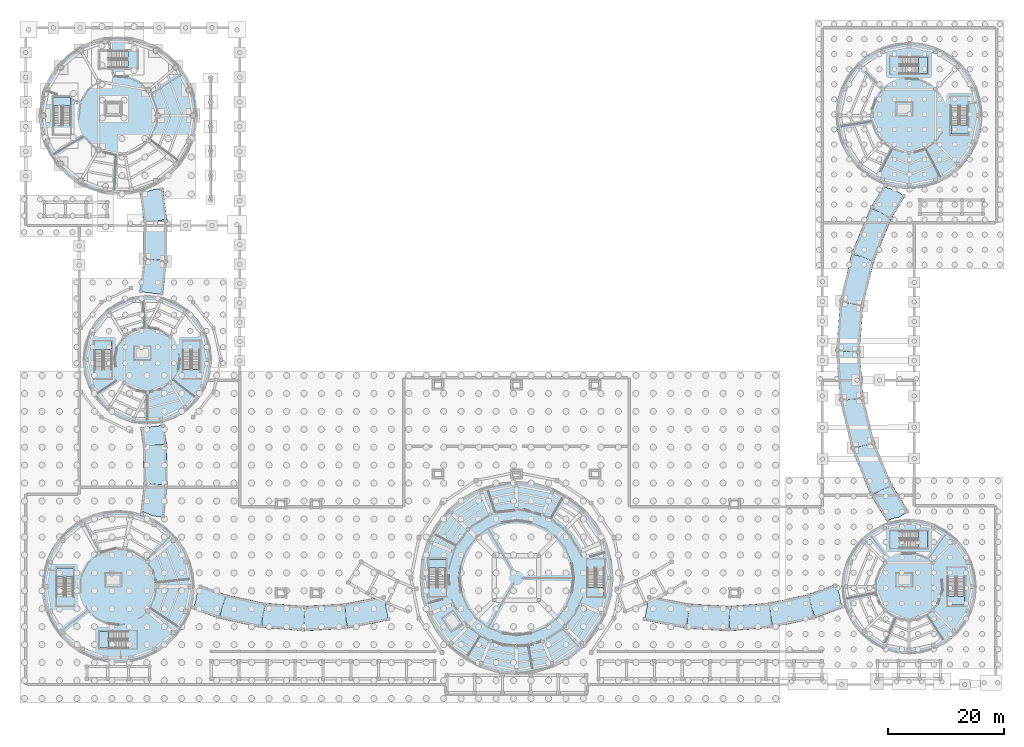
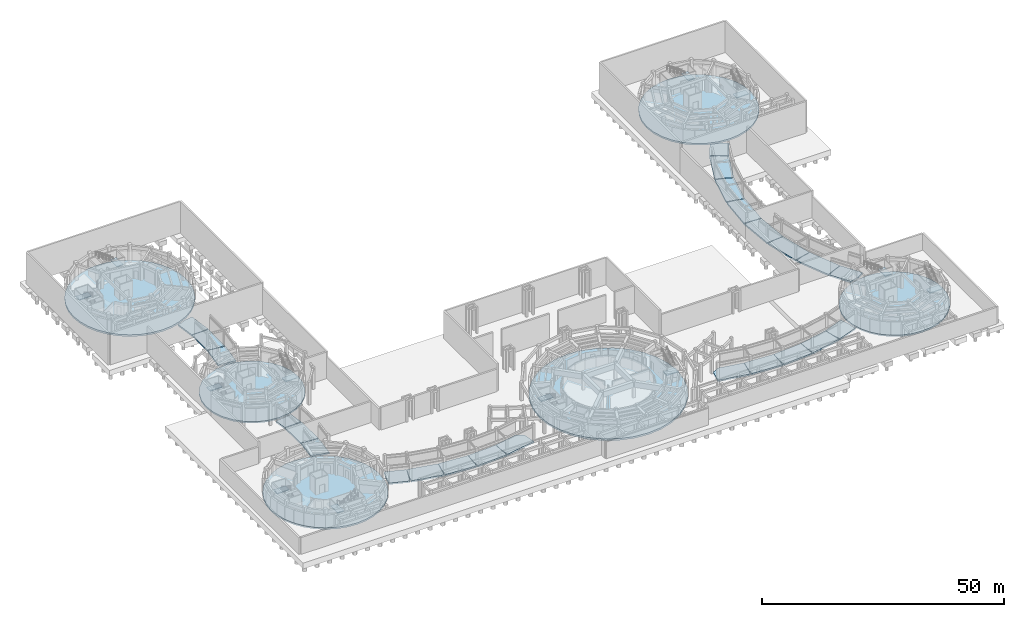
# One storey, part 22 of 57: 42 slabs, 12 elements without a shape of their own.
"""IFC4 building model written with IfcOpenShell, lengths in metres."""

from ifc_helpers import new_model, si_unit, direction, frame, origin, place, context, subcontext, project, spatial, polyline, outline, extrude, material, layer, layer_set, type_object, element, aggregate, save


model = new_model("IFC4")

# Units and contexts
model_context = context("Model", 3, precision=1e-05, world=origin(), true_north=direction((0.0, 1.0)))
body_context = subcontext(model_context, "Body", "Model", "MODEL_VIEW")
ifc_project = project(units=[si_unit("LENGTHUNIT", "METRE"), si_unit("AREAUNIT", "SQUARE_METRE"), si_unit("VOLUMEUNIT", "CUBIC_METRE"), si_unit("PLANEANGLEUNIT", "RADIAN"), si_unit("MASSUNIT", "GRAM", prefix="KILO")], contexts=[model_context])

# Site, building, storey
site_placement = place(None, origin())
site = spatial("IfcSite", under=ifc_project, at=site_placement, CompositionType="ELEMENT")
building_placement = place(site_placement, origin())
building = spatial("IfcBuilding", under=site, at=building_placement, Name="Aldenvaro Health Centre", CompositionType="ELEMENT")
storey_placement = place(building_placement, frame((0.0, 0.0, -4.550048828125)))
storey = spatial("IfcBuildingStorey", under=building, at=storey_placement, Name="B1", CompositionType="ELEMENT", Elevation=-4.550048828125)

# Slabs
ifc_material = material(Name="Concrete f'c 40 MPa", Category="concrete")
ifc_layer_1 = layer(ifc_material, 0.3798828125, Name="Concrete f'c 40 MPa", Category="concrete")
ifc_layer_set_1 = layer_set([ifc_layer_1], Name="Concrete f'c 40 MPa")
slab_type_1 = type_object("IfcSlabType", Name="SLB-BASE-380", PredefinedType="BASESLAB", material=ifc_layer_set_1)
slab_1_placement = place(storey_placement, frame((0.0, 0.0, -0.3798828125)))
element("IfcSlab", 1, at=slab_1_placement, inside=storey, type_object=slab_type_1, Name="D3 B1 floor slab", PredefinedType="BASESLAB", context=body_context, shape_type="SweptSolid", body=[
    extrude(outline(polyline([(34.5, 57.5), (34.22412109375, 59.947998046875), (33.410888671875, 62.27294921875), (32.10009765625, 64.35791015625), (30.35791015625, 66.10009765625), (28.27294921875, 67.410888671875), (25.947998046875, 68.22412109375), (23.5, 68.5), (21.052001953125, 68.22412109375), (18.72705078125, 67.410888671875), (16.64208984375, 66.10009765625), (14.89990234375, 64.35791015625), (13.589111328125, 62.27294921875), (12.77587890625, 59.947998046875), (12.5, 57.5), (12.77587890625, 55.052001953125), (13.589111328125, 52.72705078125), (14.89990234375, 50.64208984375), (16.64208984375, 48.89990234375), (18.72705078125, 47.589111328125), (21.052001953125, 46.77587890625), (23.5, 46.5), (25.947998046875, 46.77587890625), (28.27294921875, 47.589111328125), (30.35791015625, 48.89990234375), (32.10009765625, 50.64208984375), (33.410888671875, 52.72705078125), (34.22412109375, 55.052001953125), (34.5, 57.5)])), origin(), (0.0, 0.0, 1.0), 0.3798828125),
])
slab_2_placement = place(storey_placement, frame((0.0, 0.0, -0.3798828125)))
element("IfcSlab", 2, at=slab_2_placement, inside=storey, type_object=slab_type_1, Name="D6 B1 floor slab", PredefinedType="BASESLAB", context=body_context, shape_type="SweptSolid", body=[
    extrude(outline(polyline([(166.0, 18.5), (165.779052734375, 20.743896484375), (165.125, 22.90087890625), (164.06201171875, 24.888916015625), (162.632080078125, 26.632080078125), (160.888916015625, 28.06201171875), (158.90087890625, 29.125), (156.743896484375, 29.779052734375), (154.5, 30.0), (152.256103515625, 29.779052734375), (150.09912109375, 29.125), (148.111083984375, 28.06201171875), (146.367919921875, 26.632080078125), (144.93798828125, 24.888916015625), (143.875, 22.90087890625), (143.220947265625, 20.743896484375), (143.0, 18.5), (143.220947265625, 16.256103515625), (143.875, 14.09912109375), (144.93798828125, 12.111083984375), (146.367919921875, 10.367919921875), (148.111083984375, 8.93798828125), (150.09912109375, 7.875), (152.256103515625, 7.220947265625), (154.5, 7.0), (156.743896484375, 7.220947265625), (158.90087890625, 7.875), (160.888916015625, 8.93798828125), (162.632080078125, 10.367919921875), (164.06201171875, 12.111083984375), (165.125, 14.09912109375), (165.779052734375, 16.256103515625), (166.0, 18.5)])), origin(), (0.0, 0.0, 1.0), 0.3798828125),
])
slab_3_placement = place(storey_placement, frame((0.0, 0.0, -0.3798828125)))
element("IfcSlab", 3, at=slab_3_placement, inside=storey, type_object=slab_type_1, Name="West South Curved Garden Walkway Arc 1 B1 deck slab", PredefinedType="BASESLAB", context=body_context, shape_type="SweptSolid", body=[
    extrude(outline(polyline([(22.955078125, 36.278076171875), (26.930908203125, 35.8359375), (26.3330078125, 30.447998046875), (24.344970703125, 30.6689453125), (23.134033203125, 31.23291015625), (22.416015625, 31.425048828125), (22.955078125, 36.278076171875)])), origin(), (0.0, 0.0, 1.0), 0.3798828125),
])
slab_4_placement = place(storey_placement, frame((0.0, 0.0, -0.3798828125)))
element("IfcSlab", 4, at=slab_4_placement, inside=storey, type_object=slab_type_1, Name="West South Curved Garden Walkway Arc 2 B1 deck slab", PredefinedType="BASESLAB", context=body_context, shape_type="SweptSolid", body=[
    extrude(outline(polyline([(22.825927734375, 42.736083984375), (26.825927734375, 42.805908203125), (26.943115234375, 36.092041015625), (25.256103515625, 36.06201171875), (22.93798828125, 36.320068359375), (22.825927734375, 42.736083984375)])), origin(), (0.0, 0.0, 1.0), 0.3798828125),
])
slab_5_placement = place(storey_placement, frame((0.0, 0.0, -0.3798828125)))
element("IfcSlab", 5, at=slab_5_placement, inside=storey, type_object=slab_type_1, Name="West South Curved Garden Walkway Arc 3 B1 deck slab", PredefinedType="BASESLAB", context=body_context, shape_type="SweptSolid", body=[
    extrude(outline(polyline([(26.804931640625, 43.06103515625), (25.135986328125, 42.81591796875), (22.803955078125, 42.77587890625), (22.367919921875, 45.756103515625), (26.070068359375, 46.239990234375), (26.325927734375, 46.330078125), (26.804931640625, 43.06103515625)])), origin(), (0.0, 0.0, 1.0), 0.3798828125),
])
slab_6_placement = place(storey_placement, frame((0.0, 0.0, -0.3798828125)))
element("IfcSlab", 6, at=slab_6_placement, inside=storey, type_object=slab_type_1, Name="West North Curved Garden Walkway Arc 1 B1 deck slab", PredefinedType="BASESLAB", context=body_context, shape_type="SweptSolid", body=[
    extrude(outline(polyline([(22.178955078125, 69.23095703125), (22.908935546875, 74.89892578125), (26.876953125, 74.386962890625), (26.14794921875, 68.73291015625), (22.178955078125, 69.23095703125)])), origin(), (0.0, 0.0, 1.0), 0.3798828125),
])
slab_7_placement = place(storey_placement, frame((0.0, 0.0, -0.3798828125)))
element("IfcSlab", 7, at=slab_7_placement, inside=storey, type_object=slab_type_1, Name="West North Curved Garden Walkway Arc 2 B1 deck slab", PredefinedType="BASESLAB", context=body_context, shape_type="SweptSolid", body=[
    extrude(outline(polyline([(22.89306640625, 81.35693359375), (26.89306640625, 81.35693359375), (26.89306640625, 74.64306640625), (25.2060546875, 74.64306640625), (22.89306640625, 74.94091796875), (22.89306640625, 81.35693359375)])), origin(), (0.0, 0.0, 1.0), 0.3798828125),
])
slab_8_placement = place(storey_placement, frame((0.0, 0.0, -0.3798828125)))
element("IfcSlab", 8, at=slab_8_placement, inside=storey, type_object=slab_type_1, Name="West North Curved Garden Walkway Arc 3 B1 deck slab", PredefinedType="BASESLAB", context=body_context, shape_type="SweptSolid", body=[
    extrude(outline(polyline([(26.18603515625, 86.970947265625), (26.876953125, 81.613037109375), (25.202880859375, 81.39697265625), (22.87109375, 81.39697265625), (22.27587890625, 86.02099609375), (23.304931640625, 86.297119140625), (24.202880859375, 86.716064453125), (26.18603515625, 86.970947265625)])), origin(), (0.0, 0.0, 1.0), 0.3798828125),
])
slab_9_placement = place(storey_placement, frame((0.0, 0.0, -0.3798828125)))
element("IfcSlab", 9, at=slab_9_placement, inside=storey, type_object=slab_type_1, Name="South West Curved Peristyle Walkway Arc 1 B1 deck slab", PredefinedType="BASESLAB", context=body_context, shape_type="SweptSolid", body=[
    extrude(outline(polyline([(32.614990234375, 18.68896484375), (37.074951171875, 17.056884765625), (35.631103515625, 13.113037109375), (31.44189453125, 14.64599609375), (31.843994140625, 16.14697265625), (31.89404296875, 16.717041015625), (32.614990234375, 18.68896484375)])), origin(), (0.0, 0.0, 1.0), 0.3798828125),
])
slab_10_placement = place(storey_placement, frame((0.0, 0.0, -0.3798828125)))
element("IfcSlab", 10, at=slab_10_placement, inside=storey, type_object=slab_type_1, Name="South West Curved Peristyle Walkway Arc 2 B1 deck slab", PredefinedType="BASESLAB", context=body_context, shape_type="SweptSolid", body=[
    extrude(outline(polyline([(43.779052734375, 15.614990234375), (42.883056640625, 11.510986328125), (35.905029296875, 13.032958984375), (36.2900390625, 14.797119140625), (37.12109375, 17.06689453125), (43.779052734375, 15.614990234375)])), origin(), (0.0, 0.0, 1.0), 0.3798828125),
])
slab_11_placement = place(storey_placement, frame((0.0, 0.0, -0.3798828125)))
element("IfcSlab", 11, at=slab_11_placement, inside=storey, type_object=slab_type_1, Name="South West Curved Peristyle Walkway Arc 3 B1 deck slab", PredefinedType="BASESLAB", context=body_context, shape_type="SweptSolid", body=[
    extrude(outline(polyline([(50.614990234375, 15.096923828125), (50.284912109375, 10.908935546875), (43.166015625, 11.468994140625), (43.30810546875, 13.27001953125), (43.822998046875, 15.631103515625), (50.614990234375, 15.096923828125)])), origin(), (0.0, 0.0, 1.0), 0.3798828125),
])
slab_12_placement = place(storey_placement, frame((0.0, 0.0, -0.3798828125)))
element("IfcSlab", 12, at=slab_12_placement, inside=storey, type_object=slab_type_1, Name="South West Curved Peristyle Walkway Arc 4 B1 deck slab", PredefinedType="BASESLAB", context=body_context, shape_type="SweptSolid", body=[
    extrude(outline(polyline([(57.458984375, 15.510986328125), (57.700927734375, 11.31689453125), (50.571044921875, 10.906005859375), (50.467041015625, 12.708984375), (50.656982421875, 15.117919921875), (57.458984375, 15.510986328125)])), origin(), (0.0, 0.0, 1.0), 0.3798828125),
])
slab_13_placement = place(storey_placement, frame((0.0, 0.0, -0.3798828125)))
element("IfcSlab", 13, at=slab_13_placement, inside=storey, type_object=slab_type_1, Name="South West Curved Peristyle Walkway Arc 5 B1 deck slab", PredefinedType="BASESLAB", context=body_context, shape_type="SweptSolid", body=[
    extrude(outline(polyline([(64.991943359375, 12.72802734375), (57.98388671875, 11.35302734375), (57.636962890625, 13.125), (57.498046875, 15.5380859375), (62.739013671875, 16.56591796875), (64.39794921875, 15.757080078125), (64.991943359375, 12.72802734375)])), origin(), (0.0, 0.0, 1.0), 0.3798828125),
])
slab_14_placement = place(storey_placement, frame((0.0, 0.0, -0.3798828125)))
element("IfcSlab", 14, at=slab_14_placement, inside=storey, type_object=slab_type_1, Name="South East Curved Peristyle Walkway Arc 1 B1 deck slab", PredefinedType="BASESLAB", context=body_context, shape_type="SweptSolid", body=[
    extrude(outline(polyline([(116.823974609375, 15.47509765625), (116.01611328125, 11.35302734375), (109.008056640625, 12.72802734375), (109.60205078125, 15.756103515625), (111.260986328125, 16.56591796875), (116.823974609375, 15.47509765625)])), origin(), (0.0, 0.0, 1.0), 0.3798828125),
])
slab_15_placement = place(storey_placement, frame((0.0, 0.0, -0.3798828125)))
element("IfcSlab", 15, at=slab_15_placement, inside=storey, type_object=slab_type_1, Name="South East Curved Peristyle Walkway Arc 2 B1 deck slab", PredefinedType="BASESLAB", context=body_context, shape_type="SweptSolid", body=[
    extrude(outline(polyline([(123.6708984375, 15.10009765625), (123.428955078125, 10.906005859375), (116.299072265625, 11.31689453125), (116.403076171875, 13.118896484375), (116.867919921875, 15.491943359375), (123.6708984375, 15.10009765625)])), origin(), (0.0, 0.0, 1.0), 0.3798828125),
])
slab_16_placement = place(storey_placement, frame((0.0, 0.0, -0.3798828125)))
element("IfcSlab", 16, at=slab_16_placement, inside=storey, type_object=slab_type_1, Name="South East Curved Peristyle Walkway Arc 3 B1 deck slab", PredefinedType="BASESLAB", context=body_context, shape_type="SweptSolid", body=[
    extrude(outline(polyline([(130.50390625, 15.656982421875), (130.833984375, 11.468994140625), (123.715087890625, 10.908935546875), (123.572998046875, 12.708984375), (123.7119140625, 15.1220703125), (130.50390625, 15.656982421875)])), origin(), (0.0, 0.0, 1.0), 0.3798828125),
])
slab_17_placement = place(storey_placement, frame((0.0, 0.0, -0.3798828125)))
element("IfcSlab", 17, at=slab_17_placement, inside=storey, type_object=slab_type_1, Name="South East Curved Peristyle Walkway Arc 4 B1 deck slab", PredefinedType="BASESLAB", context=body_context, shape_type="SweptSolid", body=[
    extrude(outline(polyline([(137.198974609375, 17.136962890625), (138.094970703125, 13.032958984375), (131.116943359375, 11.510986328125), (130.73193359375, 13.27490234375), (130.5419921875, 15.68505859375), (137.198974609375, 17.136962890625)])), origin(), (0.0, 0.0, 1.0), 0.3798828125),
])
slab_18_placement = place(storey_placement, frame((0.0, 0.0, -0.3798828125)))
element("IfcSlab", 18, at=slab_18_placement, inside=storey, type_object=slab_type_1, Name="South East Curved Peristyle Walkway Arc 5 B1 deck slab", PredefinedType="BASESLAB", context=body_context, shape_type="SweptSolid", body=[
    extrude(outline(polyline([(138.368896484375, 13.113037109375), (137.7490234375, 14.80810546875), (137.23291015625, 17.169921875), (141.885986328125, 18.8720703125), (142.60791015625, 16.89990234375), (142.681884765625, 16.14892578125), (143.080078125, 14.8369140625), (138.368896484375, 13.113037109375)])), origin(), (0.0, 0.0, 1.0), 0.3798828125),
])
slab_19_placement = place(storey_placement, frame((0.0, 0.0, -0.3798828125)))
element("IfcSlab", 19, at=slab_19_placement, inside=storey, type_object=slab_type_1, Name="East Curved Garden Colonnade Arc 1 B1 deck slab", PredefinedType="BASESLAB", context=body_context, shape_type="SweptSolid", body=[
    extrude(outline(polyline([(153.7890625, 85.64306640625), (151.427001953125, 81.7900390625), (148.01708984375, 83.8798828125), (150.092041015625, 87.264892578125), (152.083984375, 86.68798828125), (153.7890625, 85.64306640625)])), origin(), (0.0, 0.0, 1.0), 0.3798828125),
])
slab_20_placement = place(storey_placement, frame((0.0, 0.0, -0.3798828125)))
element("IfcSlab", 20, at=slab_20_placement, inside=storey, type_object=slab_type_1, Name="East Curved Garden Colonnade Arc 2 B1 deck slab", PredefinedType="BASESLAB", context=body_context, shape_type="SweptSolid", body=[
    extrude(outline(polyline([(148.41796875, 74.4580078125), (144.721923828125, 75.988037109375), (147.8740234375, 83.60009765625), (149.486083984375, 82.93310546875), (151.43310546875, 81.739013671875), (148.41796875, 74.4580078125)])), origin(), (0.0, 0.0, 1.0), 0.3798828125),
])
slab_21_placement = place(storey_placement, frame((0.0, 0.0, -0.3798828125)))
element("IfcSlab", 21, at=slab_21_placement, inside=storey, type_object=slab_type_1, Name="East Curved Garden Colonnade Arc 3 B1 deck slab", PredefinedType="BASESLAB", context=body_context, shape_type="SweptSolid", body=[
    extrude(outline(polyline([(146.591064453125, 66.74609375), (142.700927734375, 67.679931640625), (144.625, 75.68994140625), (146.321044921875, 75.282958984375), (148.430908203125, 74.408935546875), (146.591064453125, 66.74609375)])), origin(), (0.0, 0.0, 1.0), 0.3798828125),
])
slab_22_placement = place(storey_placement, frame((0.0, 0.0, -0.3798828125)))
element("IfcSlab", 22, at=slab_22_placement, inside=storey, type_object=slab_type_1, Name="East Curved Garden Colonnade Arc 4 B1 deck slab", PredefinedType="BASESLAB", context=body_context, shape_type="SweptSolid", body=[
    extrude(outline(polyline([(145.993896484375, 58.843017578125), (142.006103515625, 59.156982421875), (142.652099609375, 67.3701171875), (144.39111328125, 67.23291015625), (146.612060546875, 66.699951171875), (145.993896484375, 58.843017578125)])), origin(), (0.0, 0.0, 1.0), 0.3798828125),
])
slab_23_placement = place(storey_placement, frame((0.0, 0.0, -0.3798828125)))
element("IfcSlab", 23, at=slab_23_placement, inside=storey, type_object=slab_type_1, Name="East Curved Garden Colonnade Arc 5 B1 deck slab", PredefinedType="BASESLAB", context=body_context, shape_type="SweptSolid", body=[
    extrude(outline(polyline([(146.639892578125, 50.944091796875), (142.652099609375, 50.6298828125), (142.006103515625, 58.843017578125), (143.7451171875, 58.97998046875), (146.02197265625, 58.801025390625), (146.639892578125, 50.944091796875)])), origin(), (0.0, 0.0, 1.0), 0.3798828125),
])
slab_24_placement = place(storey_placement, frame((0.0, 0.0, -0.3798828125)))
element("IfcSlab", 24, at=slab_24_placement, inside=storey, type_object=slab_type_1, Name="East Curved Garden Colonnade Arc 6 B1 deck slab", PredefinedType="BASESLAB", context=body_context, shape_type="SweptSolid", body=[
    extrude(outline(polyline([(148.514892578125, 43.243896484375), (144.625, 42.31005859375), (142.700927734375, 50.320068359375), (144.39697265625, 50.72705078125), (146.674072265625, 50.906982421875), (148.514892578125, 43.243896484375)])), origin(), (0.0, 0.0, 1.0), 0.3798828125),
])
slab_25_placement = place(storey_placement, frame((0.0, 0.0, -0.3798828125)))
element("IfcSlab", 25, at=slab_25_placement, inside=storey, type_object=slab_type_1, Name="East Curved Garden Colonnade Arc 7 B1 deck slab", PredefinedType="BASESLAB", context=body_context, shape_type="SweptSolid", body=[
    extrude(outline(polyline([(151.570068359375, 35.929931640625), (147.8740234375, 34.39990234375), (144.721923828125, 42.011962890625), (146.333984375, 42.678955078125), (148.553955078125, 43.2119140625), (151.570068359375, 35.929931640625)])), origin(), (0.0, 0.0, 1.0), 0.3798828125),
])
slab_26_placement = place(storey_placement, frame((0.0, 0.0, -0.3798828125)))
element("IfcSlab", 26, at=slab_26_placement, inside=storey, type_object=slab_type_1, Name="East Curved Garden Colonnade Arc 8 B1 deck slab", PredefinedType="BASESLAB", context=body_context, shape_type="SweptSolid", body=[
    extrude(outline(polyline([(148.01708984375, 34.1201171875), (149.50390625, 35.031982421875), (151.614013671875, 35.905029296875), (154.366943359375, 31.4140625), (152.662109375, 30.368896484375), (152.14892578125, 30.318115234375), (150.62890625, 29.85693359375), (148.01708984375, 34.1201171875)])), origin(), (0.0, 0.0, 1.0), 0.3798828125),
])
ifc_layer_2 = layer(ifc_material, 0.419921875, Name="Concrete f'c 40 MPa", Category="concrete")
ifc_layer_set_2 = layer_set([ifc_layer_2], Name="Concrete f'c 40 MPa")
slab_type_2 = type_object("IfcSlabType", Name="SLB-BASE-420", PredefinedType="BASESLAB", material=ifc_layer_set_2)
slab_27_placement = place(storey_placement, frame((0.0, 0.0, -0.419921875)))
element("IfcSlab", 27, at=slab_27_placement, inside=storey, type_object=slab_type_2, Name="D2 B1 floor slab", PredefinedType="BASESLAB", context=body_context, shape_type="SweptSolid", body=[
    extrude(outline(polyline([(167.0, 99.5), (166.760009765625, 101.93896484375), (166.048095703125, 104.283935546875), (164.89306640625, 106.445068359375), (163.339111328125, 108.339111328125), (161.445068359375, 109.89306640625), (159.283935546875, 111.048095703125), (156.93896484375, 111.760009765625), (154.5, 112.0), (152.06103515625, 111.760009765625), (149.716064453125, 111.048095703125), (147.554931640625, 109.89306640625), (145.660888671875, 108.339111328125), (144.10693359375, 106.445068359375), (142.951904296875, 104.283935546875), (142.239990234375, 101.93896484375), (142.0, 99.5), (142.239990234375, 97.06103515625), (142.951904296875, 94.716064453125), (144.10693359375, 92.554931640625), (145.660888671875, 90.660888671875), (147.554931640625, 89.10693359375), (149.716064453125, 87.951904296875), (152.06103515625, 87.239990234375), (154.5, 87.0), (156.93896484375, 87.239990234375), (159.283935546875, 87.951904296875), (161.445068359375, 89.10693359375), (163.339111328125, 90.660888671875), (164.89306640625, 92.554931640625), (166.048095703125, 94.716064453125), (166.760009765625, 97.06103515625), (167.0, 99.5)])), origin(), (0.0, 0.0, 1.0), 0.419921875),
])
slab_28_placement = place(storey_placement, frame((0.0, 0.0, -0.419921875)))
element("IfcSlab", 28, at=slab_28_placement, inside=storey, type_object=slab_type_2, Name="D5 B1 floor slab", PredefinedType="BASESLAB", context=body_context, shape_type="SweptSolid", body=[
    extrude(outline(polyline([(31.5, 18.5), (31.302978515625, 20.757080078125), (30.716064453125, 22.946044921875), (29.758056640625, 25.0), (28.458984375, 26.85595703125), (26.85595703125, 28.458984375), (25.0, 29.758056640625), (22.946044921875, 30.716064453125), (20.757080078125, 31.302978515625), (18.5, 31.5), (16.242919921875, 31.302978515625), (14.053955078125, 30.716064453125), (12.0, 29.758056640625), (10.14404296875, 28.458984375), (8.541015625, 26.85595703125), (7.241943359375, 25.0), (6.283935546875, 22.946044921875), (5.697021484375, 20.757080078125), (5.5, 18.5), (5.697021484375, 16.242919921875), (6.283935546875, 14.053955078125), (7.241943359375, 12.0), (8.541015625, 10.14404296875), (10.14404296875, 8.541015625), (12.0, 7.241943359375), (14.053955078125, 6.283935546875), (16.242919921875, 5.697021484375), (18.5, 5.5), (20.757080078125, 5.697021484375), (22.946044921875, 6.283935546875), (25.0, 7.241943359375), (26.85595703125, 8.541015625), (28.458984375, 10.14404296875), (29.758056640625, 12.0), (30.716064453125, 14.053955078125), (31.302978515625, 16.242919921875), (31.5, 18.5)])), origin(), (0.0, 0.0, 1.0), 0.419921875),
])
ifc_layer_3 = layer(ifc_material, 0.449951171875, Name="Concrete f'c 40 MPa", Category="concrete")
ifc_layer_set_3 = layer_set([ifc_layer_3], Name="Concrete f'c 40 MPa")
slab_type_3 = type_object("IfcSlabType", Name="SLB-BASE-450", PredefinedType="BASESLAB", material=ifc_layer_set_3)
slab_29_placement = place(storey_placement, frame((0.0, 0.0, -0.449951171875)))
element("IfcSlab", 29, at=slab_29_placement, inside=storey, type_object=slab_type_3, Name="D1 B1 floor slab", PredefinedType="BASESLAB", context=body_context, shape_type="SweptSolid", body=[
    extrude(outline(polyline([(103.5, 20.0), (103.18310546875, 23.218994140625), (102.243896484375, 26.31396484375), (100.718994140625, 29.1669921875), (98.6669921875, 31.6669921875), (96.1669921875, 33.718994140625), (93.31396484375, 35.243896484375), (90.218994140625, 36.18310546875), (87.0, 36.5), (83.781005859375, 36.18310546875), (80.68603515625, 35.243896484375), (77.8330078125, 33.718994140625), (75.3330078125, 31.6669921875), (73.281005859375, 29.1669921875), (71.756103515625, 26.31396484375), (70.81689453125, 23.218994140625), (70.5, 20.0), (70.81689453125, 16.781005859375), (71.756103515625, 13.68603515625), (73.281005859375, 10.8330078125), (75.3330078125, 8.3330078125), (77.8330078125, 6.281005859375), (80.68603515625, 4.756103515625), (83.781005859375, 3.81689453125), (87.0, 3.5), (90.218994140625, 3.81689453125), (93.31396484375, 4.756103515625), (96.1669921875, 6.281005859375), (98.6669921875, 8.3330078125), (100.718994140625, 10.8330078125), (102.243896484375, 13.68603515625), (103.18310546875, 16.781005859375), (103.5, 20.0)])), origin(), (0.0, 0.0, 1.0), 0.449951171875),
])
slab_30_placement = place(storey_placement, frame((0.0, 0.0, -0.449951171875)))
element("IfcSlab", 30, at=slab_30_placement, inside=storey, type_object=slab_type_3, Name="D4 B1 floor slab", PredefinedType="BASESLAB", context=body_context, shape_type="SweptSolid", body=[
    extrude(outline(polyline([(32.0, 99.5), (31.794921875, 101.843994140625), (31.18603515625, 104.116943359375), (30.19091796875, 106.25), (28.842041015625, 108.177978515625), (27.177978515625, 109.842041015625), (25.25, 111.19091796875), (23.116943359375, 112.18603515625), (20.843994140625, 112.794921875), (18.5, 113.0), (16.156005859375, 112.794921875), (13.883056640625, 112.18603515625), (11.75, 111.19091796875), (9.822021484375, 109.842041015625), (8.157958984375, 108.177978515625), (6.80908203125, 106.25), (5.81396484375, 104.116943359375), (5.205078125, 101.843994140625), (5.0, 99.5), (5.205078125, 97.156005859375), (5.81396484375, 94.883056640625), (6.80908203125, 92.75), (8.157958984375, 90.822021484375), (9.822021484375, 89.157958984375), (11.75, 87.80908203125), (13.883056640625, 86.81396484375), (16.156005859375, 86.205078125), (18.5, 86.0), (20.843994140625, 86.205078125), (23.116943359375, 86.81396484375), (25.25, 87.80908203125), (27.177978515625, 89.157958984375), (28.842041015625, 90.822021484375), (30.19091796875, 92.75), (31.18603515625, 94.883056640625), (31.794921875, 97.156005859375), (32.0, 99.5)])), origin(), (0.0, 0.0, 1.0), 0.449951171875),
])

# Stair, slab
stair_type = type_object("IfcStairType", Name="STR-DOG-455", PredefinedType="HALF_TURN_STAIR", material=ifc_material)
stair_1_placement = place(storey_placement, origin())
stair_1 = element("IfcStair", 31, at=stair_1_placement, inside=storey, type_object=stair_type, Name="B1 Exit Stair ST-01", PredefinedType="HALF_TURN_STAIR")
ifc_layer_4 = layer(ifc_material, 0.199951171875, Name="Concrete f'c 40 MPa", Category="concrete")
ifc_layer_set_4 = layer_set([ifc_layer_4], Name="Concrete f'c 40 MPa")
slab_type_4 = type_object("IfcSlabType", Name="SLB-LND-200", PredefinedType="LANDING", material=ifc_layer_set_4)
slab_31_placement = place(storey_placement, frame((0.0, 0.0, 2.074951171875)))
slab_31 = element("IfcSlab", 32, at=slab_31_placement, type_object=slab_type_4, Name="ST-01 landing 1", PredefinedType="LANDING", context=body_context, shape_type="SweptSolid", body=[
    extrude(outline(polyline([(74.85009765625, 21.659912109375), (74.85009765625, 23.199951171875), (71.949951171875, 23.199951171875), (71.949951171875, 21.659912109375), (74.85009765625, 21.659912109375)])), origin(), (0.0, 0.0, 1.0), 0.2001953125),
])
aggregate(stair_1, [slab_31])

stair_2_placement = place(storey_placement, origin())
stair_2 = element("IfcStair", 33, at=stair_2_placement, inside=storey, type_object=stair_type, Name="B1 Exit Stair ST-02", PredefinedType="HALF_TURN_STAIR")
slab_32_placement = place(storey_placement, frame((0.0, 0.0, 2.074951171875)))
slab_32 = element("IfcSlab", 34, at=slab_32_placement, type_object=slab_type_4, Name="ST-02 landing 1", PredefinedType="LANDING", context=body_context, shape_type="SweptSolid", body=[
    extrude(outline(polyline([(99.14990234375, 18.340087890625), (99.14990234375, 16.800048828125), (102.050048828125, 16.800048828125), (102.050048828125, 18.340087890625), (99.14990234375, 18.340087890625)])), origin(), (0.0, 0.0, 1.0), 0.2001953125),
])
aggregate(stair_2, [slab_32])

stair_3_placement = place(storey_placement, origin())
stair_3 = element("IfcStair", 35, at=stair_3_placement, inside=storey, type_object=stair_type, Name="B1 Exit Stair ST-03", PredefinedType="HALF_TURN_STAIR")
slab_33_placement = place(storey_placement, frame((0.0, 0.0, 2.074951171875)))
slab_33 = element("IfcSlab", 36, at=slab_33_placement, type_object=slab_type_4, Name="ST-03 landing 1", PredefinedType="LANDING", context=body_context, shape_type="SweptSolid", body=[
    extrude(outline(polyline([(161.699951171875, 97.840087890625), (161.699951171875, 96.300048828125), (164.60009765625, 96.300048828125), (164.60009765625, 97.840087890625), (161.699951171875, 97.840087890625)])), origin(), (0.0, 0.0, 1.0), 0.2001953125),
])
aggregate(stair_3, [slab_33])

stair_4_placement = place(storey_placement, origin())
stair_4 = element("IfcStair", 37, at=stair_4_placement, inside=storey, type_object=stair_type, Name="B1 Exit Stair ST-04", PredefinedType="HALF_TURN_STAIR")
slab_34_placement = place(storey_placement, frame((0.0, 0.0, 2.074951171875)))
slab_34 = element("IfcSlab", 38, at=slab_34_placement, type_object=slab_type_4, Name="ST-04 landing 1", PredefinedType="LANDING", context=body_context, shape_type="SweptSolid", body=[
    extrude(outline(polyline([(156.159912109375, 106.699951171875), (157.699951171875, 106.699951171875), (157.699951171875, 109.60009765625), (156.159912109375, 109.60009765625), (156.159912109375, 106.699951171875)])), origin(), (0.0, 0.0, 1.0), 0.2001953125),
])
aggregate(stair_4, [slab_34])

stair_5_placement = place(storey_placement, origin())
stair_5 = element("IfcStair", 39, at=stair_5_placement, inside=storey, type_object=stair_type, Name="B1 Exit Stair ST-05", PredefinedType="HALF_TURN_STAIR")
slab_35_placement = place(storey_placement, frame((0.0, 0.0, 2.074951171875)))
slab_35 = element("IfcSlab", 40, at=slab_35_placement, type_object=slab_type_4, Name="ST-05 landing 1", PredefinedType="LANDING", context=body_context, shape_type="SweptSolid", body=[
    extrude(outline(polyline([(29.64990234375, 55.840087890625), (29.64990234375, 54.300048828125), (32.550048828125, 54.300048828125), (32.550048828125, 55.840087890625), (29.64990234375, 55.840087890625)])), origin(), (0.0, 0.0, 1.0), 0.2001953125),
])
aggregate(stair_5, [slab_35])

stair_6_placement = place(storey_placement, origin())
stair_6 = element("IfcStair", 41, at=stair_6_placement, inside=storey, type_object=stair_type, Name="B1 Exit Stair ST-06", PredefinedType="HALF_TURN_STAIR")
slab_36_placement = place(storey_placement, frame((0.0, 0.0, 2.074951171875)))
slab_36 = element("IfcSlab", 42, at=slab_36_placement, type_object=slab_type_4, Name="ST-06 landing 1", PredefinedType="LANDING", context=body_context, shape_type="SweptSolid", body=[
    extrude(outline(polyline([(17.35009765625, 59.159912109375), (17.35009765625, 60.699951171875), (14.449951171875, 60.699951171875), (14.449951171875, 59.159912109375), (17.35009765625, 59.159912109375)])), origin(), (0.0, 0.0, 1.0), 0.2001953125),
])
aggregate(stair_6, [slab_36])

stair_7_placement = place(storey_placement, origin())
stair_7 = element("IfcStair", 43, at=stair_7_placement, inside=storey, type_object=stair_type, Name="B1 Exit Stair ST-07", PredefinedType="HALF_TURN_STAIR")
slab_37_placement = place(storey_placement, frame((0.0, 0.0, 2.074951171875)))
slab_37 = element("IfcSlab", 44, at=slab_37_placement, type_object=slab_type_4, Name="ST-07 landing 1", PredefinedType="LANDING", context=body_context, shape_type="SweptSolid", body=[
    extrude(outline(polyline([(20.159912109375, 107.699951171875), (21.699951171875, 107.699951171875), (21.699951171875, 110.60009765625), (20.159912109375, 110.60009765625), (20.159912109375, 107.699951171875)])), origin(), (0.0, 0.0, 1.0), 0.2001953125),
])
aggregate(stair_7, [slab_37])

stair_8_placement = place(storey_placement, origin())
stair_8 = element("IfcStair", 45, at=stair_8_placement, inside=storey, type_object=stair_type, Name="B1 Exit Stair ST-08", PredefinedType="HALF_TURN_STAIR")
slab_38_placement = place(storey_placement, frame((0.0, 0.0, 2.074951171875)))
slab_38 = element("IfcSlab", 46, at=slab_38_placement, type_object=slab_type_4, Name="ST-08 landing 1", PredefinedType="LANDING", context=body_context, shape_type="SweptSolid", body=[
    extrude(outline(polyline([(10.300048828125, 101.159912109375), (10.300048828125, 102.699951171875), (7.39990234375, 102.699951171875), (7.39990234375, 101.159912109375), (10.300048828125, 101.159912109375)])), origin(), (0.0, 0.0, 1.0), 0.2001953125),
])
aggregate(stair_8, [slab_38])

stair_9_placement = place(storey_placement, origin())
stair_9 = element("IfcStair", 47, at=stair_9_placement, inside=storey, type_object=stair_type, Name="B1 Exit Stair ST-09", PredefinedType="HALF_TURN_STAIR")
slab_39_placement = place(storey_placement, frame((0.0, 0.0, 2.074951171875)))
slab_39 = element("IfcSlab", 48, at=slab_39_placement, type_object=slab_type_4, Name="ST-09 landing 1", PredefinedType="LANDING", context=body_context, shape_type="SweptSolid", body=[
    extrude(outline(polyline([(10.800048828125, 20.159912109375), (10.800048828125, 21.699951171875), (7.89990234375, 21.699951171875), (7.89990234375, 20.159912109375), (10.800048828125, 20.159912109375)])), origin(), (0.0, 0.0, 1.0), 0.2001953125),
])
aggregate(stair_9, [slab_39])

stair_10_placement = place(storey_placement, origin())
stair_10 = element("IfcStair", 49, at=stair_10_placement, inside=storey, type_object=stair_type, Name="B1 Exit Stair ST-10", PredefinedType="HALF_TURN_STAIR")
slab_40_placement = place(storey_placement, frame((0.0, 0.0, 2.074951171875)))
slab_40 = element("IfcSlab", 50, at=slab_40_placement, type_object=slab_type_4, Name="ST-10 landing 1", PredefinedType="LANDING", context=body_context, shape_type="SweptSolid", body=[
    extrude(outline(polyline([(16.840087890625, 10.800048828125), (15.300048828125, 10.800048828125), (15.300048828125, 7.89990234375), (16.840087890625, 7.89990234375), (16.840087890625, 10.800048828125)])), origin(), (0.0, 0.0, 1.0), 0.2001953125),
])
aggregate(stair_10, [slab_40])

stair_11_placement = place(storey_placement, origin())
stair_11 = element("IfcStair", 51, at=stair_11_placement, inside=storey, type_object=stair_type, Name="B1 Exit Stair ST-11", PredefinedType="HALF_TURN_STAIR")
slab_41_placement = place(storey_placement, frame((0.0, 0.0, 2.074951171875)))
slab_41 = element("IfcSlab", 52, at=slab_41_placement, type_object=slab_type_4, Name="ST-11 landing 1", PredefinedType="LANDING", context=body_context, shape_type="SweptSolid", body=[
    extrude(outline(polyline([(161.14990234375, 16.840087890625), (161.14990234375, 15.300048828125), (164.050048828125, 15.300048828125), (164.050048828125, 16.840087890625), (161.14990234375, 16.840087890625)])), origin(), (0.0, 0.0, 1.0), 0.2001953125),
])
aggregate(stair_11, [slab_41])

stair_12_placement = place(storey_placement, origin())
stair_12 = element("IfcStair", 53, at=stair_12_placement, inside=storey, type_object=stair_type, Name="B1 Exit Stair ST-12", PredefinedType="HALF_TURN_STAIR")
slab_42_placement = place(storey_placement, frame((0.0, 0.0, 2.074951171875)))
slab_42 = element("IfcSlab", 54, at=slab_42_placement, type_object=slab_type_4, Name="ST-12 landing 1", PredefinedType="LANDING", context=body_context, shape_type="SweptSolid", body=[
    extrude(outline(polyline([(156.159912109375, 25.14990234375), (157.699951171875, 25.14990234375), (157.699951171875, 28.050048828125), (156.159912109375, 28.050048828125), (156.159912109375, 25.14990234375)])), origin(), (0.0, 0.0, 1.0), 0.2001953125),
])
aggregate(stair_12, [slab_42])

save(model, "model.ifc")
